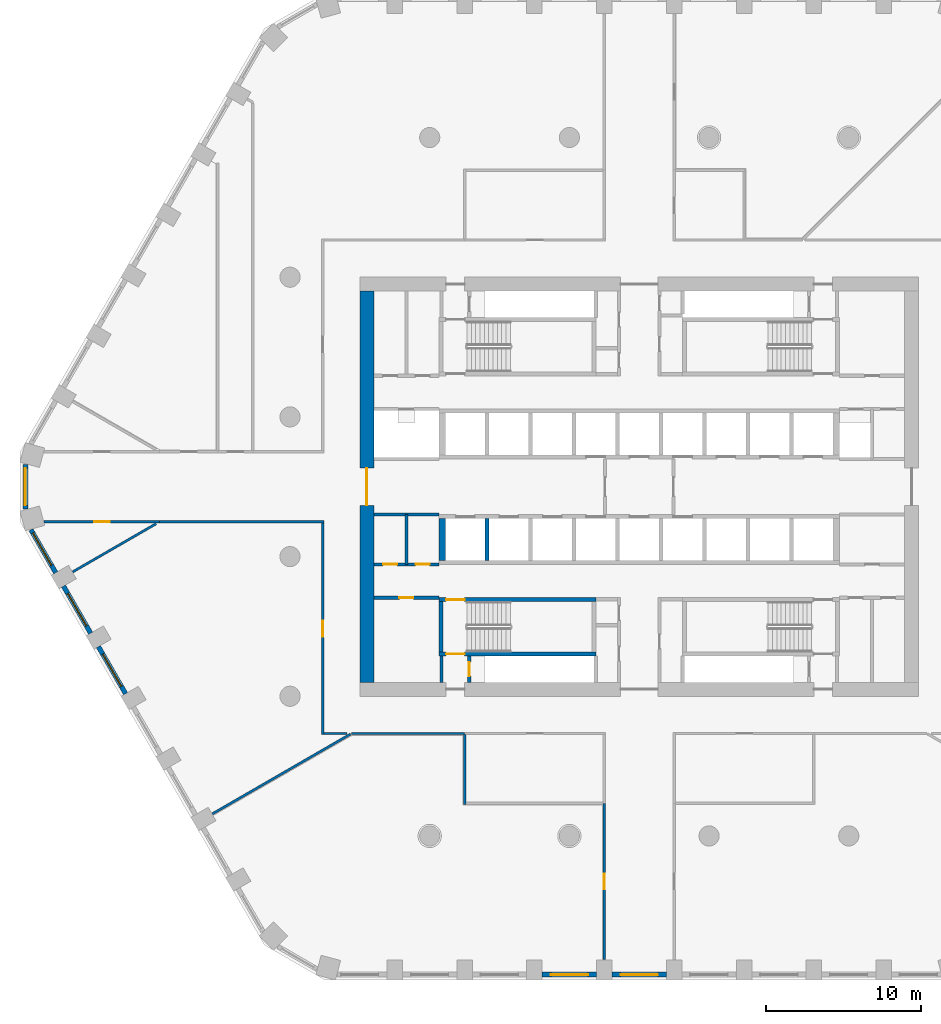
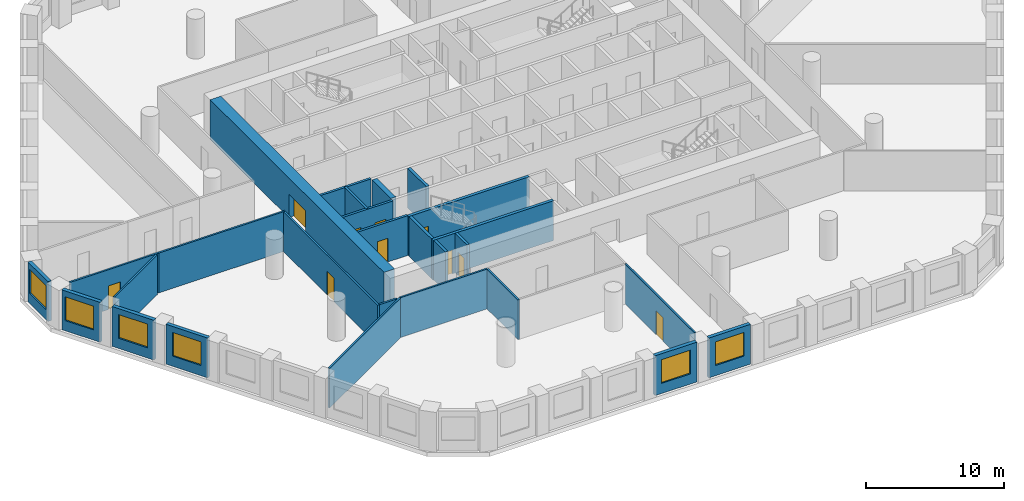
# One storey, part 2 of 14: 27 walls, 10 doors, 6 windows, 16 openings.
"""IFC4 building model written with IfcOpenShell, lengths in metres."""

from ifc_helpers import new_model, si_unit, direction, frame, frame_2d, origin, place, context, subcontext, project, spatial, polyline, rectangle, outline, extrude, material, layer, layer_set, type_object, element, fill, save


model = new_model("IFC4")

# Units and contexts
model_context = context("Model", 3, precision=1e-05, world=origin(), true_north=direction((0.0, 1.0)))
body_context = subcontext(model_context, "Body", "Model", "MODEL_VIEW")
ifc_project = project(units=[si_unit("LENGTHUNIT", "METRE"), si_unit("AREAUNIT", "SQUARE_METRE"), si_unit("VOLUMEUNIT", "CUBIC_METRE"), si_unit("PLANEANGLEUNIT", "RADIAN"), si_unit("MASSUNIT", "GRAM", prefix="KILO")], contexts=[model_context])

# Site, building, storey
site_placement = place(None, origin())
site = spatial("IfcSite", under=ifc_project, at=site_placement, CompositionType="ELEMENT")
building_placement = place(site_placement, origin())
building = spatial("IfcBuilding", under=site, at=building_placement, Name="Dhurran Vertical Campus", CompositionType="ELEMENT")
storey_placement = place(building_placement, frame((0.0, 0.0, 100.800048828125)))
storey = spatial("IfcBuildingStorey", under=building, at=storey_placement, Name="L24", CompositionType="ELEMENT", Elevation=100.800048828125)

# Wall, opening, window
ifc_material_1 = material(Name="Precast concrete C50/60", Category="concrete")
ifc_layer_1 = layer(ifc_material_1, 0.300048828125)
ifc_layer_set_1 = layer_set([ifc_layer_1], Name="Precast concrete C50/60")
wall_type_1 = type_object("IfcWallType", Name="Precast spandrel wall 300", PredefinedType="SOLIDWALL", material=ifc_layer_set_1)
wall_1_placement = place(storey_placement, frame((-6.24951171875, -31.4296875, 0.0), z_axis=(0.0, 0.0, 1.0), x_axis=(1.0, 0.0, 0.0)))
wall_1 = element("IfcWall", 1, at=wall_1_placement, inside=storey, type_object=wall_type_1, Name="EW1 L24.03", PredefinedType="SOLIDWALL", context=body_context, shape_type="SweptSolid", body=[
    extrude(rectangle(XDim=3.4990234375, YDim=0.300048828125, at=frame_2d((1.74951171875, 0.0))), origin(), (0.0, 0.0, 1.0), 3.52490234375),
])
opening_1_placement = place(wall_1_placement, frame((0.549560546875, 0.0, 0.89990234375)))
opening_1 = element("IfcOpeningElement", 2, at=opening_1_placement, cuts=wall_1, Name="Opening WT1", PredefinedType="OPENING", context=body_context, shape_type="SweptSolid", body=[
    extrude(rectangle(XDim=2.39990234375, YDim=2.10009765625, at=frame_2d((1.199951171875, 1.050048828125))), frame((0.0, 0.159912109375, 0.0), z_axis=(0.0, -1.0, 0.0), x_axis=(1.0, 0.0, 0.0)), (0.0, 0.0, 1.0), 0.320068359375),
])
ifc_material_2 = material(Name="Aluminium frame with solar-control glass", Category="aluminium")
window_type = type_object("IfcWindowType", Name="Punched window 2400 x 2100", PartitioningType="SINGLE_PANEL", PredefinedType="WINDOW", material=ifc_material_2)
window_1_placement = place(opening_1_placement, origin())
window_1 = element("IfcWindow", 3, at=window_1_placement, inside=storey, type_object=window_type, Name="WT1 L24.03", OverallHeight=2.10009765625, OverallWidth=2.39990234375, PartitioningType="SINGLE_PANEL", PredefinedType="WINDOW", context=body_context, shape_type="SweptSolid", body=[
    extrude(rectangle(XDim=2.39990234375, YDim=2.10009765625, at=frame_2d((1.199951171875, 1.050048828125))), frame((0.0, 0.030029296875, 0.0), z_axis=(0.0, -1.0, 0.0), x_axis=(1.0, 0.0, 0.0)), (0.0, 0.0, 1.0), 0.06005859375),
])
fill(opening_1, window_1)

wall_2_placement = place(storey_placement, frame((-1.74951171875, -31.4296875, 0.0), z_axis=(0.0, 0.0, 1.0), x_axis=(1.0, 0.0, 0.0)))
wall_2 = element("IfcWall", 4, at=wall_2_placement, inside=storey, type_object=wall_type_1, Name="EW1 L24.04", PredefinedType="SOLIDWALL", context=body_context, shape_type="SweptSolid", body=[
    extrude(rectangle(XDim=3.4990234375, YDim=0.300048828125, at=frame_2d((1.74951171875, 0.0))), origin(), (0.0, 0.0, 1.0), 3.52490234375),
])
opening_2_placement = place(wall_2_placement, frame((0.549560546875, 0.0, 0.89990234375)))
opening_2 = element("IfcOpeningElement", 5, at=opening_2_placement, cuts=wall_2, Name="Opening WT1", PredefinedType="OPENING", context=body_context, shape_type="SweptSolid", body=[
    extrude(rectangle(XDim=2.39990234375, YDim=2.10009765625, at=frame_2d((1.199951171875, 1.050048828125))), frame((0.0, 0.159912109375, 0.0), z_axis=(0.0, -1.0, 0.0), x_axis=(1.0, 0.0, 0.0)), (0.0, 0.0, 1.0), 0.320068359375),
])
window_2_placement = place(opening_2_placement, origin())
window_2 = element("IfcWindow", 6, at=window_2_placement, inside=storey, type_object=window_type, Name="WT1 L24.04", OverallHeight=2.10009765625, OverallWidth=2.39990234375, PartitioningType="SINGLE_PANEL", PredefinedType="WINDOW", context=body_context, shape_type="SweptSolid", body=[
    extrude(rectangle(XDim=2.39990234375, YDim=2.10009765625, at=frame_2d((1.199951171875, 1.050048828125))), frame((0.0, 0.030029296875, 0.0), z_axis=(0.0, -1.0, 0.0), x_axis=(1.0, 0.0, 0.0)), (0.0, 0.0, 1.0), 0.06005859375),
])
fill(opening_2, window_2)

wall_3_placement = place(storey_placement, frame((-39.547119140625, 1.44287109375, 0.0), z_axis=(0.0, 0.0, 1.0), x_axis=(0.0, -1.0, 0.0)))
wall_3 = element("IfcWall", 7, at=wall_3_placement, inside=storey, type_object=wall_type_1, Name="EW1 L24.43", PredefinedType="SOLIDWALL", context=body_context, shape_type="SweptSolid", body=[
    extrude(rectangle(XDim=2.8857421875, YDim=0.300048828125, at=frame_2d((1.44287109375, 0.0))), origin(), (0.0, 0.0, 1.0), 3.52490234375),
])
opening_3_placement = place(wall_3_placement, frame((0.242919921875, 0.0, 0.89990234375)))
opening_3 = element("IfcOpeningElement", 8, at=opening_3_placement, cuts=wall_3, Name="Opening WT1", PredefinedType="OPENING", context=body_context, shape_type="SweptSolid", body=[
    extrude(rectangle(XDim=2.39990234375, YDim=2.10009765625, at=frame_2d((1.199951171875, 1.050048828125))), frame((0.0, 0.159912109375, 0.0), z_axis=(0.0, -1.0, 0.0), x_axis=(1.0, 0.0, 0.0)), (0.0, 0.0, 1.0), 0.320068359375),
])
window_3_placement = place(opening_3_placement, origin())
window_3 = element("IfcWindow", 9, at=window_3_placement, inside=storey, type_object=window_type, Name="WT1 L24.43", OverallHeight=2.10009765625, OverallWidth=2.39990234375, PartitioningType="SINGLE_PANEL", PredefinedType="WINDOW", context=body_context, shape_type="SweptSolid", body=[
    extrude(rectangle(XDim=2.39990234375, YDim=2.10009765625, at=frame_2d((1.199951171875, 1.050048828125))), frame((0.0, 0.030029296875, 0.0), z_axis=(0.0, -1.0, 0.0), x_axis=(1.0, 0.0, 0.0)), (0.0, 0.0, 1.0), 0.06005859375),
])
fill(opening_3, window_3)

wall_4_placement = place(storey_placement, frame((-39.1904296875, -2.774169921875, 0.0), z_axis=(0.0, 0.0, 1.0), x_axis=(0.500004907028, -0.866022570692, 0.0)))
wall_4 = element("IfcWall", 10, at=wall_4_placement, inside=storey, type_object=wall_type_1, Name="EW1 L24.44", PredefinedType="SOLIDWALL", context=body_context, shape_type="SweptSolid", body=[
    extrude(rectangle(XDim=3.1923828125, YDim=0.300048828125, at=frame_2d((1.59619140625, 0.0))), origin(), (0.0, 0.0, 1.0), 3.52490234375),
])
opening_4_placement = place(wall_4_placement, frame((0.242919921875, 0.0, 0.89990234375)))
opening_4 = element("IfcOpeningElement", 11, at=opening_4_placement, cuts=wall_4, Name="Opening WT1", PredefinedType="OPENING", context=body_context, shape_type="SweptSolid", body=[
    extrude(rectangle(XDim=2.39990234375, YDim=2.10009765625, at=frame_2d((1.199951171875, 1.050048828125))), frame((0.0, 0.159912109375, 0.0), z_axis=(0.0, -1.0, 0.0), x_axis=(1.0, 0.0, 0.0)), (0.0, 0.0, 1.0), 0.320068359375),
])
window_4_placement = place(opening_4_placement, origin())
window_4 = element("IfcWindow", 12, at=window_4_placement, inside=storey, type_object=window_type, Name="WT1 L24.44", OverallHeight=2.10009765625, OverallWidth=2.39990234375, PartitioningType="SINGLE_PANEL", PredefinedType="WINDOW", context=body_context, shape_type="SweptSolid", body=[
    extrude(rectangle(XDim=2.39990234375, YDim=2.10009765625, at=frame_2d((1.199951171875, 1.050048828125))), frame((0.0, 0.030029296875, 0.0), z_axis=(0.0, -1.0, 0.0), x_axis=(1.0, 0.0, 0.0)), (0.0, 0.0, 1.0), 0.06005859375),
])
fill(opening_4, window_4)

wall_5_placement = place(storey_placement, frame((-37.09375, -6.405517578125, 0.0), z_axis=(0.0, 0.0, 1.0), x_axis=(0.499996256241, -0.866027565234, 0.0)))
wall_5 = element("IfcWall", 13, at=wall_5_placement, inside=storey, type_object=wall_type_1, Name="EW1 L24.45", PredefinedType="SOLIDWALL", context=body_context, shape_type="SweptSolid", body=[
    extrude(rectangle(XDim=3.4990234375, YDim=0.300048828125, at=frame_2d((1.74951171875, 0.0))), origin(), (0.0, 0.0, 1.0), 3.52490234375),
])
opening_5_placement = place(wall_5_placement, frame((0.549560546875, 0.0, 0.89990234375)))
opening_5 = element("IfcOpeningElement", 14, at=opening_5_placement, cuts=wall_5, Name="Opening WT1", PredefinedType="OPENING", context=body_context, shape_type="SweptSolid", body=[
    extrude(rectangle(XDim=2.39990234375, YDim=2.10009765625, at=frame_2d((1.199951171875, 1.050048828125))), frame((0.0, 0.159912109375, 0.0), z_axis=(0.0, -1.0, 0.0), x_axis=(1.0, 0.0, 0.0)), (0.0, 0.0, 1.0), 0.320068359375),
])
window_5_placement = place(opening_5_placement, origin())
window_5 = element("IfcWindow", 15, at=window_5_placement, inside=storey, type_object=window_type, Name="WT1 L24.45", OverallHeight=2.10009765625, OverallWidth=2.39990234375, PartitioningType="SINGLE_PANEL", PredefinedType="WINDOW", context=body_context, shape_type="SweptSolid", body=[
    extrude(rectangle(XDim=2.39990234375, YDim=2.10009765625, at=frame_2d((1.199951171875, 1.050048828125))), frame((0.0, 0.030029296875, 0.0), z_axis=(0.0, -1.0, 0.0), x_axis=(1.0, 0.0, 0.0)), (0.0, 0.0, 1.0), 0.06005859375),
])
fill(opening_5, window_5)

wall_6_placement = place(storey_placement, frame((-34.84375, -10.302734375, 0.0), z_axis=(0.0, 0.0, 1.0), x_axis=(0.499996256241, -0.866027565234, 0.0)))
wall_6 = element("IfcWall", 16, at=wall_6_placement, inside=storey, type_object=wall_type_1, Name="EW1 L24.46", PredefinedType="SOLIDWALL", context=body_context, shape_type="SweptSolid", body=[
    extrude(rectangle(XDim=3.4990234375, YDim=0.300048828125, at=frame_2d((1.74951171875, 0.0))), origin(), (0.0, 0.0, 1.0), 3.52490234375),
])
opening_6_placement = place(wall_6_placement, frame((0.549560546875, 0.0, 0.89990234375)))
opening_6 = element("IfcOpeningElement", 17, at=opening_6_placement, cuts=wall_6, Name="Opening WT1", PredefinedType="OPENING", context=body_context, shape_type="SweptSolid", body=[
    extrude(rectangle(XDim=2.39990234375, YDim=2.10009765625, at=frame_2d((1.199951171875, 1.050048828125))), frame((0.0, 0.159912109375, 0.0), z_axis=(0.0, -1.0, 0.0), x_axis=(1.0, 0.0, 0.0)), (0.0, 0.0, 1.0), 0.320068359375),
])
window_6_placement = place(opening_6_placement, origin())
window_6 = element("IfcWindow", 18, at=window_6_placement, inside=storey, type_object=window_type, Name="WT1 L24.46", OverallHeight=2.10009765625, OverallWidth=2.39990234375, PartitioningType="SINGLE_PANEL", PredefinedType="WINDOW", context=body_context, shape_type="SweptSolid", body=[
    extrude(rectangle(XDim=2.39990234375, YDim=2.10009765625, at=frame_2d((1.199951171875, 1.050048828125))), frame((0.0, 0.030029296875, 0.0), z_axis=(0.0, -1.0, 0.0), x_axis=(1.0, 0.0, 0.0)), (0.0, 0.0, 1.0), 0.06005859375),
])
fill(opening_6, window_6)

# Wall, opening, door
ifc_material_3 = material(Name="Concrete C60/75", Category="concrete")
ifc_layer_2 = layer(ifc_material_3, 0.89990234375)
ifc_layer_set_2 = layer_set([ifc_layer_2], Name="Concrete C60/75")
wall_type_2 = type_object("IfcWallType", Name="co-CORE-WALL-C0-900", PredefinedType="SHEAR", material=ifc_layer_set_2)
wall_7_placement = place(storey_placement, frame((-17.550048828125, -12.60009765625, 0.0), z_axis=(0.0, 0.0, 1.0), x_axis=(0.0, 1.0, 0.0)))
wall_7 = element("IfcWall", 19, at=wall_7_placement, inside=storey, type_object=wall_type_2, Name="Core wall W L24", PredefinedType="SHEAR", context=body_context, shape_type="SweptSolid", body=[
    extrude(rectangle(XDim=25.2001953125, YDim=0.89990234375, at=frame_2d((12.60009765625, 0.0))), origin(), (0.0, 0.0, 1.0), 3.52490234375),
])
opening_7_placement = place(wall_7_placement, frame((11.39990234375, 0.0, 0.0)))
opening_7 = element("IfcOpeningElement", 20, at=opening_7_placement, cuts=wall_7, Name="Opening CL1", PredefinedType="OPENING", context=body_context, shape_type="SweptSolid", body=[
    extrude(rectangle(XDim=2.39990234375, YDim=2.10009765625, at=frame_2d((1.199951171875, 1.050048828125))), frame((0.0, 0.4599609375, 0.0), z_axis=(0.0, -1.0, 0.0), x_axis=(1.0, 0.0, 0.0)), (0.0, 0.0, 1.0), 0.919921875),
])
ifc_material_4 = material(Name="Fire-rated glazed door set")
door_type_1 = type_object("IfcDoorType", Name="co-D-LOBBY 2400x2100", OperationType="DOUBLE_DOOR_DOUBLE_SWING", PredefinedType="DOOR", material=ifc_material_4)
door_1_placement = place(opening_7_placement, origin())
door_1 = element("IfcDoor", 21, at=door_1_placement, inside=storey, type_object=door_type_1, Name="Lift lobby door W L24", OperationType="DOUBLE_DOOR_DOUBLE_SWING", OverallHeight=2.10009765625, OverallWidth=2.39990234375, PredefinedType="DOOR", context=body_context, shape_type="SweptSolid", body=[
    extrude(rectangle(XDim=2.39990234375, YDim=2.10009765625, at=frame_2d((1.199951171875, 1.050048828125))), frame((0.0, 0.02490234375, 0.0), z_axis=(0.0, -1.0, 0.0), x_axis=(1.0, 0.0, 0.0)), (0.0, 0.0, 1.0), 0.050048828125),
])
fill(opening_7, door_1)

# Wall
ifc_material_5 = material(Name="Fire-rated masonry blockwork", Category="masonry")
ifc_layer_3 = layer(ifc_material_5, 0.199951171875)
ifc_layer_set_3 = layer_set([ifc_layer_3], Name="Fire-rated masonry blockwork")
wall_type_3 = type_object("IfcWallType", Name="co-FIRE-PARTITION-200", PredefinedType="PARTITIONING", material=ifc_layer_set_3)
wall_8_placement = place(storey_placement, frame((-12.75, -12.60009765625, 0.0), z_axis=(0.0, 0.0, 1.0), x_axis=(0.0, 1.0, 0.0)))
element("IfcWall", 22, at=wall_8_placement, inside=storey, type_object=wall_type_3, Name="Core partition pass-ST3-o L24", PredefinedType="PARTITIONING", context=body_context, shape_type="SweptSolid", body=[
    extrude(rectangle(XDim=1.7001953125, YDim=0.199951171875, at=frame_2d((0.85009765625, 0.0))), origin(), (0.0, 0.0, 1.0), 3.52490234375),
])

# Wall, opening, door
wall_9_placement = place(storey_placement, frame((-10.949951171875, -12.60009765625, 0.0), z_axis=(0.0, 0.0, 1.0), x_axis=(0.0, 1.0, 0.0)))
wall_9 = element("IfcWall", 23, at=wall_9_placement, inside=storey, type_object=wall_type_3, Name="Core partition pass-ST3-i L24", PredefinedType="PARTITIONING", context=body_context, shape_type="SweptSolid", body=[
    extrude(rectangle(XDim=1.7001953125, YDim=0.199951171875, at=frame_2d((0.85009765625, 0.0))), origin(), (0.0, 0.0, 1.0), 3.52490234375),
])
opening_8_placement = place(wall_9_placement, frame((0.39990234375, 0.0, 0.0)))
opening_8 = element("IfcOpeningElement", 24, at=opening_8_placement, cuts=wall_9, Name="Opening T06-C10", PredefinedType="OPENING", context=body_context, shape_type="SweptSolid", body=[
    extrude(rectangle(XDim=0.89990234375, YDim=2.10009765625, at=frame_2d((0.449951171875, 1.050048828125))), frame((0.0, 0.10986328125, 0.0), z_axis=(0.0, -1.0, 0.0), x_axis=(1.0, 0.0, 0.0)), (0.0, 0.0, 1.0), 0.219970703125),
])
ifc_material_6 = material(Name="Fire-rated timber door set", Category="wood")
door_type_2 = type_object("IfcDoorType", Name="co-D-ROOM 900x2100", OperationType="SINGLE_SWING_LEFT", PredefinedType="DOOR", material=ifc_material_6)
door_2_placement = place(opening_8_placement, origin())
door_2 = element("IfcDoor", 25, at=door_2_placement, inside=storey, type_object=door_type_2, Name="Riser room door L24", OperationType="SINGLE_SWING_LEFT", OverallHeight=2.10009765625, OverallWidth=0.89990234375, PredefinedType="DOOR", context=body_context, shape_type="SweptSolid", body=[
    extrude(rectangle(XDim=0.89990234375, YDim=2.10009765625, at=frame_2d((0.449951171875, 1.050048828125))), frame((0.0, 0.02490234375, 0.0), z_axis=(0.0, -1.0, 0.0), x_axis=(1.0, 0.0, 0.0)), (0.0, 0.0, 1.0), 0.050048828125),
])
fill(opening_8, door_2)

wall_10_placement = place(storey_placement, frame((-17.10009765625, -7.14990234375, 0.0), z_axis=(0.0, 0.0, 1.0), x_axis=(1.0, 0.0, 0.0)))
wall_10 = element("IfcWall", 26, at=wall_10_placement, inside=storey, type_object=wall_type_3, Name="Core partition en-SW-w L24", PredefinedType="PARTITIONING", context=body_context, shape_type="SweptSolid", body=[
    extrude(rectangle(XDim=4.2001953125, YDim=0.199951171875, at=frame_2d((2.10009765625, 0.0))), origin(), (0.0, 0.0, 1.0), 3.52490234375),
])
opening_9_placement = place(wall_10_placement, frame((1.64990234375, 0.0, 0.0)))
opening_9 = element("IfcOpeningElement", 27, at=opening_9_placement, cuts=wall_10, Name="Opening T06-C18", PredefinedType="OPENING", context=body_context, shape_type="SweptSolid", body=[
    extrude(rectangle(XDim=0.89990234375, YDim=2.10009765625, at=frame_2d((0.449951171875, 1.050048828125))), frame((0.0, 0.10986328125, 0.0), z_axis=(0.0, -1.0, 0.0), x_axis=(1.0, 0.0, 0.0)), (0.0, 0.0, 1.0), 0.219970703125),
])
door_3_placement = place(opening_9_placement, origin())
door_3 = element("IfcDoor", 28, at=door_3_placement, inside=storey, type_object=door_type_2, Name="Server room door L24", OperationType="SINGLE_SWING_LEFT", OverallHeight=2.10009765625, OverallWidth=0.89990234375, PredefinedType="DOOR", context=body_context, shape_type="SweptSolid", body=[
    extrude(rectangle(XDim=0.89990234375, YDim=2.10009765625, at=frame_2d((0.449951171875, 1.050048828125))), frame((0.0, 0.02490234375, 0.0), z_axis=(0.0, -1.0, 0.0), x_axis=(1.0, 0.0, 0.0)), (0.0, 0.0, 1.0), 0.050048828125),
])
fill(opening_9, door_3)

# Wall
wall_11_placement = place(storey_placement, frame((-15.0, -5.0, 0.0), z_axis=(0.0, 0.0, 1.0), x_axis=(0.0, 1.0, 0.0)))
element("IfcWall", 29, at=wall_11_placement, inside=storey, type_object=wall_type_3, Name="Core partition es-SW-cut0 L24", PredefinedType="PARTITIONING", context=body_context, shape_type="SweptSolid", body=[
    extrude(rectangle(XDim=3.199951171875, YDim=0.199951171875, at=frame_2d((1.60009765625, 0.0))), origin(), (0.0, 0.0, 1.0), 3.52490234375),
])

# Wall, openings, doors
wall_12_placement = place(storey_placement, frame((-17.10009765625, -5.0, 0.0), z_axis=(0.0, 0.0, 1.0), x_axis=(1.0, 0.0, 0.0)))
wall_12 = element("IfcWall", 30, at=wall_12_placement, inside=storey, type_object=wall_type_3, Name="Core partition es-SW-w L24", PredefinedType="PARTITIONING", context=body_context, shape_type="SweptSolid", body=[
    extrude(rectangle(XDim=4.2001953125, YDim=0.199951171875, at=frame_2d((2.10009765625, 0.0))), origin(), (0.0, 0.0, 1.0), 3.52490234375),
])
opening_10_placement = place(wall_12_placement, frame((0.60009765625, 0.0, 0.0)))
opening_10 = element("IfcOpeningElement", 31, at=opening_10_placement, cuts=wall_12, Name="Opening T06-C19", PredefinedType="OPENING", context=body_context, shape_type="SweptSolid", body=[
    extrude(rectangle(XDim=0.89990234375, YDim=2.10009765625, at=frame_2d((0.449951171875, 1.050048828125))), frame((0.0, 0.10986328125, 0.0), z_axis=(0.0, -1.0, 0.0), x_axis=(1.0, 0.0, 0.0)), (0.0, 0.0, 1.0), 0.219970703125),
])
opening_11_placement = place(wall_12_placement, frame((2.699951171875, 0.0, 0.0)))
opening_11 = element("IfcOpeningElement", 32, at=opening_11_placement, cuts=wall_12, Name="Opening T06-C20", PredefinedType="OPENING", context=body_context, shape_type="SweptSolid", body=[
    extrude(rectangle(XDim=0.89990234375, YDim=2.10009765625, at=frame_2d((0.449951171875, 1.050048828125))), frame((0.0, 0.10986328125, 0.0), z_axis=(0.0, -1.0, 0.0), x_axis=(1.0, 0.0, 0.0)), (0.0, 0.0, 1.0), 0.219970703125),
])
door_4_placement = place(opening_10_placement, origin())
door_4 = element("IfcDoor", 33, at=door_4_placement, inside=storey, type_object=door_type_2, Name="Pantry door L24", OperationType="SINGLE_SWING_LEFT", OverallHeight=2.10009765625, OverallWidth=0.89990234375, PredefinedType="DOOR", context=body_context, shape_type="SweptSolid", body=[
    extrude(rectangle(XDim=0.89990234375, YDim=2.10009765625, at=frame_2d((0.449951171875, 1.050048828125))), frame((0.0, 0.02490234375, 0.0), z_axis=(0.0, -1.0, 0.0), x_axis=(1.0, 0.0, 0.0)), (0.0, 0.0, 1.0), 0.050048828125),
])
fill(opening_10, door_4)
door_5_placement = place(opening_11_placement, origin())
door_5 = element("IfcDoor", 34, at=door_5_placement, inside=storey, type_object=door_type_2, Name="Housekeeping store door L24", OperationType="SINGLE_SWING_LEFT", OverallHeight=2.10009765625, OverallWidth=0.89990234375, PredefinedType="DOOR", context=body_context, shape_type="SweptSolid", body=[
    extrude(rectangle(XDim=0.89990234375, YDim=2.10009765625, at=frame_2d((0.449951171875, 1.050048828125))), frame((0.0, 0.02490234375, 0.0), z_axis=(0.0, -1.0, 0.0), x_axis=(1.0, 0.0, 0.0)), (0.0, 0.0, 1.0), 0.050048828125),
])
fill(opening_11, door_5)

# Walls
wall_13_placement = place(storey_placement, frame((-17.10009765625, -1.800048828125, 0.0), z_axis=(0.0, 0.0, 1.0), x_axis=(1.0, 0.0, 0.0)))
element("IfcWall", 35, at=wall_13_placement, inside=storey, type_object=wall_type_3, Name="Core partition es-SW-l L24", PredefinedType="PARTITIONING", context=body_context, shape_type="SweptSolid", body=[
    extrude(rectangle(XDim=4.2001953125, YDim=0.199951171875, at=frame_2d((2.10009765625, 0.0))), origin(), (0.0, 0.0, 1.0), 3.52490234375),
])
ifc_material_7 = material(Name="Concrete C50/60", Category="concrete")
ifc_layer_4 = layer(ifc_material_7, 0.25)
ifc_layer_set_4 = layer_set([ifc_layer_4], Name="Concrete C50/60")
wall_type_4 = type_object("IfcWallType", Name="co-SHAFT-MASS-250", PredefinedType="SHEAR", material=ifc_layer_set_4)
wall_14_placement = place(storey_placement, origin())
element("IfcWall", 36, at=wall_14_placement, inside=storey, type_object=wall_type_4, Name="Lift shaft wall S L24 2", PredefinedType="SHEAR", context=body_context, shape_type="SweptSolid", body=[
    extrude(outline(polyline([(-12.89990234375, -4.75), (-12.47509765625, -4.75), (-12.47509765625, -2.050048828125), (-12.89990234375, -2.050048828125), (-12.89990234375, -4.75)])), origin(), (0.0, 0.0, 1.0), 3.52490234375),
])
wall_15_placement = place(storey_placement, origin())
element("IfcWall", 37, at=wall_15_placement, inside=storey, type_object=wall_type_4, Name="Lift shaft wall S L24 3", PredefinedType="SHEAR", context=body_context, shape_type="SweptSolid", body=[
    extrude(outline(polyline([(-9.925048828125, -4.75), (-9.675048828125, -4.75), (-9.675048828125, -2.050048828125), (-9.925048828125, -2.050048828125), (-9.925048828125, -4.75)])), origin(), (0.0, 0.0, 1.0), 3.52490234375),
])

# Wall, opening, door
ifc_material_8 = material(Name="Concrete C40/50", Category="concrete")
ifc_layer_5 = layer(ifc_material_8, 0.25)
ifc_layer_set_5 = layer_set([ifc_layer_5], Name="Concrete C40/50")
wall_type_5 = type_object("IfcWallType", Name="co-STAIR-WALL-250", PredefinedType="SHEAR", material=ifc_layer_set_5)
wall_16_placement = place(storey_placement, frame((-12.89990234375, -10.77490234375, 0.0), z_axis=(0.0, 0.0, 1.0), x_axis=(1.0, 0.0, 0.0)))
wall_16 = element("IfcWall", 38, at=wall_16_placement, inside=storey, type_object=wall_type_5, Name="Stair ST3 enclosure wall L24", PredefinedType="SHEAR", context=body_context, shape_type="SweptSolid", body=[
    extrude(rectangle(XDim=10.099853515625, YDim=0.25, at=frame_2d((5.0498046875, 0.0))), origin(), (0.0, 0.0, 1.0), 3.52490234375),
])
opening_12_placement = place(wall_16_placement, frame((0.449951171875, 0.0, 0.0)))
opening_12 = element("IfcOpeningElement", 39, at=opening_12_placement, cuts=wall_16, Name="Opening XS3", PredefinedType="OPENING", context=body_context, shape_type="SweptSolid", body=[
    extrude(rectangle(XDim=1.199951171875, YDim=2.10009765625, at=frame_2d((0.60009765625, 1.050048828125))), frame((0.0, 0.135009765625, 0.0), z_axis=(0.0, -1.0, 0.0), x_axis=(1.0, 0.0, 0.0)), (0.0, 0.0, 1.0), 0.27001953125),
])
ifc_material_9 = material(Name="Fire-rated steel door set", Category="steel")
door_type_3 = type_object("IfcDoorType", Name="co-D-STAIR-EXIT 1200x2100", OperationType="SINGLE_SWING_RIGHT", PredefinedType="DOOR", material=ifc_material_9)
door_6_placement = place(opening_12_placement, origin())
door_6 = element("IfcDoor", 40, at=door_6_placement, inside=storey, type_object=door_type_3, Name="Stair ST3 discharge door L24", OperationType="SINGLE_SWING_RIGHT", OverallHeight=2.10009765625, OverallWidth=1.199951171875, PredefinedType="DOOR", context=body_context, shape_type="SweptSolid", body=[
    extrude(rectangle(XDim=1.199951171875, YDim=2.10009765625, at=frame_2d((0.60009765625, 1.050048828125))), frame((0.0, 0.02490234375, 0.0), z_axis=(0.0, -1.0, 0.0), x_axis=(1.0, 0.0, 0.0)), (0.0, 0.0, 1.0), 0.050048828125),
])
fill(opening_12, door_6)

wall_17_placement = place(storey_placement, frame((-12.89990234375, -7.27490234375, 0.0), z_axis=(0.0, 0.0, 1.0), x_axis=(1.0, 0.0, 0.0)))
wall_17 = element("IfcWall", 41, at=wall_17_placement, inside=storey, type_object=wall_type_5, Name="Stair ST3 enclosure wall L24", PredefinedType="SHEAR", context=body_context, shape_type="SweptSolid", body=[
    extrude(rectangle(XDim=10.099853515625, YDim=0.25, at=frame_2d((5.0498046875, 0.0))), origin(), (0.0, 0.0, 1.0), 3.52490234375),
])
opening_13_placement = place(wall_17_placement, frame((0.449951171875, 0.0, 0.0)))
opening_13 = element("IfcOpeningElement", 42, at=opening_13_placement, cuts=wall_17, Name="Opening SD3", PredefinedType="OPENING", context=body_context, shape_type="SweptSolid", body=[
    extrude(rectangle(XDim=1.199951171875, YDim=2.10009765625, at=frame_2d((0.60009765625, 1.050048828125))), frame((0.0, 0.135009765625, 0.0), z_axis=(0.0, -1.0, 0.0), x_axis=(1.0, 0.0, 0.0)), (0.0, 0.0, 1.0), 0.27001953125),
])
ifc_material_10 = material(Name="Fire-rated steel door set", Category="steel")
door_type_4 = type_object("IfcDoorType", Name="co-D-STAIR 1200x2100", OperationType="SINGLE_SWING_LEFT", PredefinedType="DOOR", material=ifc_material_10)
door_7_placement = place(opening_13_placement, origin())
door_7 = element("IfcDoor", 43, at=door_7_placement, inside=storey, type_object=door_type_4, Name="Stair ST3 door L24", OperationType="SINGLE_SWING_LEFT", OverallHeight=2.10009765625, OverallWidth=1.199951171875, PredefinedType="DOOR", context=body_context, shape_type="SweptSolid", body=[
    extrude(rectangle(XDim=1.199951171875, YDim=2.10009765625, at=frame_2d((0.60009765625, 1.050048828125))), frame((0.0, 0.02490234375, 0.0), z_axis=(0.0, -1.0, 0.0), x_axis=(1.0, 0.0, 0.0)), (0.0, 0.0, 1.0), 0.050048828125),
])
fill(opening_13, door_7)

# Wall
wall_18_placement = place(storey_placement, frame((-12.77490234375, -10.64990234375, 0.0), z_axis=(0.0, 0.0, 1.0), x_axis=(0.0, 1.0, 0.0)))
element("IfcWall", 44, at=wall_18_placement, inside=storey, type_object=wall_type_5, Name="Stair ST3 enclosure wall L24", PredefinedType="SHEAR", context=body_context, shape_type="SweptSolid", body=[
    extrude(rectangle(XDim=3.25, YDim=0.25, at=frame_2d((1.625, 0.0))), origin(), (0.0, 0.0, 1.0), 3.52490234375),
])

# Wall, opening, door
ifc_material_11 = material(Name="Gypsum board corridor wall on steel studs", Category="steel")
ifc_layer_6 = layer(ifc_material_11, 0.14990234375)
ifc_layer_set_6 = layer_set([ifc_layer_6], Name="Gypsum board corridor wall on steel studs")
wall_type_6 = type_object("IfcWallType", Name="fl-CW-150 corridor wall", PredefinedType="PARTITIONING", material=ifc_layer_set_6)
wall_19_placement = place(storey_placement, frame((-30.89697265625, -2.25, 0.0), z_axis=(0.0, 0.0, 1.0), x_axis=(-1.0, 0.0, 0.0)))
wall_19 = element("IfcWall", 45, at=wall_19_placement, inside=storey, type_object=wall_type_6, Name="Partition 24-01", PredefinedType="PARTITIONING", context=body_context, shape_type="SweptSolid", body=[
    extrude(rectangle(XDim=7.453125, YDim=0.14990234375, at=frame_2d((3.7265625, 0.0))), origin(), (0.0, 0.0, 1.0), 3.52490234375),
])
opening_14_placement = place(wall_19_placement, frame((3.2265625, 0.0, 0.0)))
opening_14 = element("IfcOpeningElement", 46, at=opening_14_placement, cuts=wall_19, Name="Opening T06.01", PredefinedType="OPENING", context=body_context, shape_type="SweptSolid", body=[
    extrude(rectangle(XDim=1.0, YDim=2.10009765625, at=frame_2d((0.5, 1.050048828125))), frame((0.0, 0.0849609375, 0.0), z_axis=(0.0, -1.0, 0.0), x_axis=(1.0, 0.0, 0.0)), (0.0, 0.0, 1.0), 0.169921875),
])
ifc_material_12 = material(Name="Solid-core timber door set, fire-rated", Category="wood")
door_type_5 = type_object("IfcDoorType", Name="fl-D-1000x2100", OperationType="SINGLE_SWING_LEFT", PredefinedType="DOOR", material=ifc_material_12)
door_8_placement = place(opening_14_placement, origin())
door_8 = element("IfcDoor", 47, at=door_8_placement, inside=storey, type_object=door_type_5, Name="Door 24.01", OperationType="SINGLE_SWING_RIGHT", OverallHeight=2.10009765625, OverallWidth=1.0, PredefinedType="DOOR", context=body_context, shape_type="SweptSolid", body=[
    extrude(rectangle(XDim=1.0, YDim=2.10009765625, at=frame_2d((0.5, 1.050048828125))), frame((0.0, 0.02490234375, 0.0), z_axis=(0.0, -1.0, 0.0), x_axis=(1.0, 0.0, 0.0)), (0.0, 0.0, 1.0), 0.050048828125),
])
fill(opening_14, door_8)

# Wall
wall_20_placement = place(storey_placement, frame((-20.324951171875, -2.25, 0.0), z_axis=(0.0, 0.0, 1.0), x_axis=(-1.0, 0.0, 0.0)))
element("IfcWall", 48, at=wall_20_placement, inside=storey, type_object=wall_type_6, Name="Partition 24-05", PredefinedType="PARTITIONING", context=body_context, shape_type="SweptSolid", body=[
    extrude(rectangle(XDim=10.572021484375, YDim=0.14990234375, at=frame_2d((5.2861328125, 0.0))), origin(), (0.0, 0.0, 1.0), 3.52490234375),
])

# Wall, opening, door
wall_21_placement = place(storey_placement, frame((-20.39990234375, -2.324951171875, 0.0), z_axis=(0.0, 0.0, 1.0), x_axis=(0.0, -1.0, 0.0)))
wall_21 = element("IfcWall", 49, at=wall_21_placement, inside=storey, type_object=wall_type_6, Name="Partition 24-13", PredefinedType="PARTITIONING", context=body_context, shape_type="SweptSolid", body=[
    extrude(rectangle(XDim=13.650146484375, YDim=0.14990234375, at=frame_2d((6.8251953125, 0.0))), origin(), (0.0, 0.0, 1.0), 3.52490234375),
])
opening_15_placement = place(wall_21_placement, frame((6.324951171875, 0.0, 0.0)))
opening_15 = element("IfcOpeningElement", 50, at=opening_15_placement, cuts=wall_21, Name="Opening T06.04", PredefinedType="OPENING", context=body_context, shape_type="SweptSolid", body=[
    extrude(rectangle(XDim=1.0, YDim=2.10009765625, at=frame_2d((0.5, 1.050048828125))), frame((0.0, 0.0849609375, 0.0), z_axis=(0.0, -1.0, 0.0), x_axis=(1.0, 0.0, 0.0)), (0.0, 0.0, 1.0), 0.169921875),
])
door_9_placement = place(opening_15_placement, origin())
door_9 = element("IfcDoor", 51, at=door_9_placement, inside=storey, type_object=door_type_5, Name="Door 24.04", OperationType="SINGLE_SWING_RIGHT", OverallHeight=2.10009765625, OverallWidth=1.0, PredefinedType="DOOR", context=body_context, shape_type="SweptSolid", body=[
    extrude(rectangle(XDim=1.0, YDim=2.10009765625, at=frame_2d((0.5, 1.050048828125))), frame((0.0, 0.02490234375, 0.0), z_axis=(0.0, -1.0, 0.0), x_axis=(1.0, 0.0, 0.0)), (0.0, 0.0, 1.0), 0.050048828125),
])
fill(opening_15, door_9)

# Walls
wall_22_placement = place(storey_placement, frame((-20.324951171875, -15.89990234375, 0.0), z_axis=(0.0, 0.0, 1.0), x_axis=(1.0, 0.0, 0.0)))
element("IfcWall", 52, at=wall_22_placement, inside=storey, type_object=wall_type_6, Name="Partition 24-14", PredefinedType="PARTITIONING", context=body_context, shape_type="SweptSolid", body=[
    extrude(rectangle(XDim=1.510009765625, YDim=0.14990234375, at=frame_2d((0.7548828125, 0.0))), origin(), (0.0, 0.0, 1.0), 3.52490234375),
])
wall_23_placement = place(storey_placement, frame((-18.5400390625, -15.89990234375, 0.0), z_axis=(0.0, 0.0, 1.0), x_axis=(1.0, 0.0, 0.0)))
element("IfcWall", 53, at=wall_23_placement, inside=storey, type_object=wall_type_6, Name="Partition 24-17", PredefinedType="PARTITIONING", context=body_context, shape_type="SweptSolid", body=[
    extrude(rectangle(XDim=7.2900390625, YDim=0.14990234375, at=frame_2d((3.64501953125, 0.0))), origin(), (0.0, 0.0, 1.0), 3.52490234375),
])

# Wall, opening, door
wall_24_placement = place(storey_placement, frame((-2.25, -30.459716796875, 0.0), z_axis=(0.0, 0.0, 1.0), x_axis=(0.0, 1.0, 0.0)))
wall_24 = element("IfcWall", 54, at=wall_24_placement, inside=storey, type_object=wall_type_6, Name="Partition 24-24", PredefinedType="PARTITIONING", context=body_context, shape_type="SweptSolid", body=[
    extrude(rectangle(XDim=10.059814453125, YDim=0.14990234375, at=frame_2d((5.02978515625, 0.0))), origin(), (0.0, 0.0, 1.0), 3.52490234375),
])
opening_16_placement = place(wall_24_placement, frame((4.52978515625, 0.0, 0.0)))
opening_16 = element("IfcOpeningElement", 55, at=opening_16_placement, cuts=wall_24, Name="Opening T06.07", PredefinedType="OPENING", context=body_context, shape_type="SweptSolid", body=[
    extrude(rectangle(XDim=1.0, YDim=2.10009765625, at=frame_2d((0.5, 1.050048828125))), frame((0.0, 0.0849609375, 0.0), z_axis=(0.0, -1.0, 0.0), x_axis=(1.0, 0.0, 0.0)), (0.0, 0.0, 1.0), 0.169921875),
])
door_10_placement = place(opening_16_placement, origin())
door_10 = element("IfcDoor", 56, at=door_10_placement, inside=storey, type_object=door_type_5, Name="Door 24.07", OperationType="SINGLE_SWING_LEFT", OverallHeight=2.10009765625, OverallWidth=1.0, PredefinedType="DOOR", context=body_context, shape_type="SweptSolid", body=[
    extrude(rectangle(XDim=1.0, YDim=2.10009765625, at=frame_2d((0.5, 1.050048828125))), frame((0.0, 0.02490234375, 0.0), z_axis=(0.0, -1.0, 0.0), x_axis=(1.0, 0.0, 0.0)), (0.0, 0.0, 1.0), 0.050048828125),
])
fill(opening_16, door_10)

# Walls
ifc_material_13 = material(Name="Gypsum board partition on steel studs", Category="steel")
ifc_layer_7 = layer(ifc_material_13, 0.14990234375)
ifc_layer_set_7 = layer_set([ifc_layer_7], Name="Gypsum board partition on steel studs")
wall_type_7 = type_object("IfcWallType", Name="fl-PW-150 fixed partition", PredefinedType="PARTITIONING", material=ifc_layer_set_7)
wall_25_placement = place(storey_placement, frame((-31.13525390625, -2.387451171875, 0.0), z_axis=(0.0, 0.0, 1.0), x_axis=(-0.866007197923, -0.500031532152, 0.0)))
element("IfcWall", 57, at=wall_25_placement, inside=storey, type_object=wall_type_7, Name="Partition 24-03", PredefinedType="PARTITIONING", context=body_context, shape_type="SweptSolid", body=[
    extrude(rectangle(XDim=6.19921875, YDim=0.14990234375, at=frame_2d((3.099609375, 0.0))), origin(), (0.0, 0.0, 1.0), 3.52490234375),
])
wall_26_placement = place(storey_placement, frame((-18.60498046875, -15.9375, 0.0), z_axis=(0.0, 0.0, 1.0), x_axis=(-0.8659928916, -0.500056308527, 0.0)))
element("IfcWall", 58, at=wall_26_placement, inside=storey, type_object=wall_type_7, Name="Partition 24-07", PredefinedType="PARTITIONING", context=body_context, shape_type="SweptSolid", body=[
    extrude(rectangle(XDim=10.275634765625, YDim=0.14990234375, at=frame_2d((5.1376953125, 0.0))), origin(), (0.0, 0.0, 1.0), 3.52490234375),
])
wall_27_placement = place(storey_placement, frame((-11.25, -15.97509765625, 0.0), z_axis=(0.0, 0.0, 1.0), x_axis=(0.0, -1.0, 0.0)))
element("IfcWall", 59, at=wall_27_placement, inside=storey, type_object=wall_type_7, Name="Partition 24-18", PredefinedType="PARTITIONING", context=body_context, shape_type="SweptSolid", body=[
    extrude(rectangle(XDim=4.5, YDim=0.14990234375, at=frame_2d((2.25, 0.0))), origin(), (0.0, 0.0, 1.0), 3.52490234375),
])

save(model, "model.ifc")
